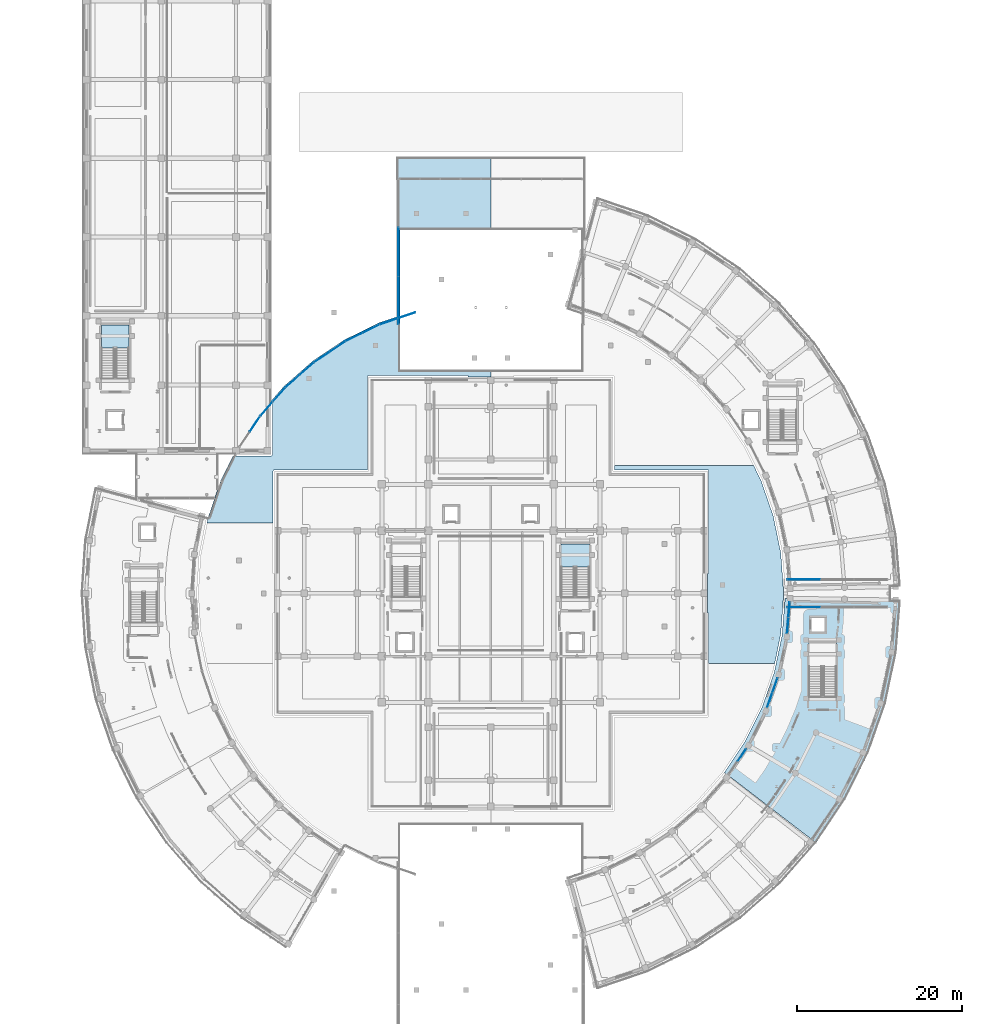
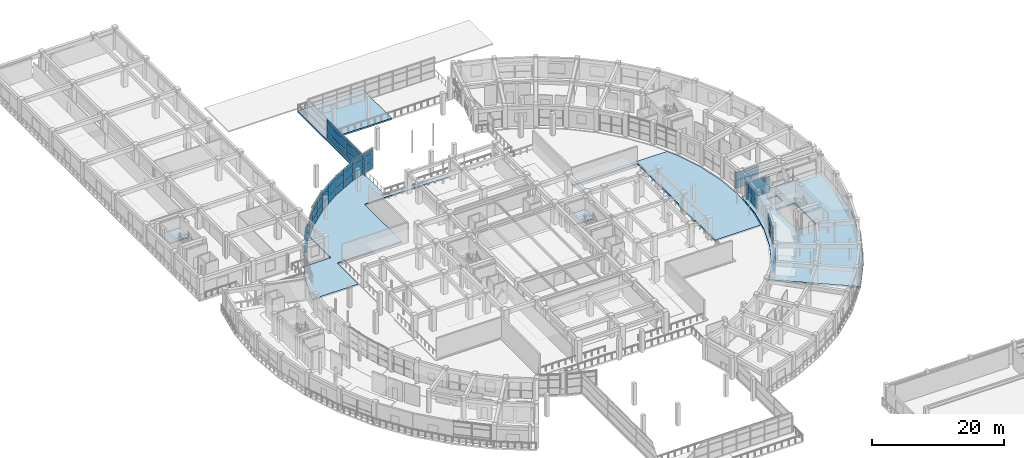
# One storey, part 50 of 87: 50 plates, 5 slabs, 14 elements without a shape of their own.
"""IFC4 building model written with IfcOpenShell, lengths in metres."""

from ifc_helpers import new_model, si_unit, direction, frame, origin, origin_2d, place, context, subcontext, project, spatial, polyline, rectangle, outline, extrude, material, layer, layer_set, type_object, element, aggregate, save


model = new_model("IFC4")

# Units and contexts
model_context = context("Model", 3, precision=1e-05, world=origin(), true_north=direction((0.0, 1.0)))
body_context = subcontext(model_context, "Body", "Model", "MODEL_VIEW")
ifc_project = project(units=[si_unit("LENGTHUNIT", "METRE"), si_unit("AREAUNIT", "SQUARE_METRE"), si_unit("VOLUMEUNIT", "CUBIC_METRE"), si_unit("PLANEANGLEUNIT", "RADIAN"), si_unit("MASSUNIT", "GRAM", prefix="KILO")], contexts=[model_context])

# Site, building, storey
site_placement = place(None, origin())
site = spatial("IfcSite", under=ifc_project, at=site_placement, CompositionType="ELEMENT")
building_placement = place(site_placement, origin())
building = spatial("IfcBuilding", under=site, at=building_placement, Name="Saryqyr Civic Hall", CompositionType="ELEMENT")
storey_placement = place(building_placement, frame((0.0, 0.0, 5.10009765625)))
storey = spatial("IfcBuildingStorey", under=building, at=storey_placement, Name="L01", CompositionType="ELEMENT", Elevation=5.10009765625)

# Curtain wall, plates
ifc_material_1 = material(Name="Anodised aluminium and triple low-E glass", Category="aluminium")
curtain_wall_type_1 = type_object("IfcCurtainWallType", Name="ENV-CW-STD-18", PredefinedType="NOTDEFINED", material=ifc_material_1)
curtain_wall_1_placement = place(storey_placement, origin())
curtain_wall_1 = element("IfcCurtainWall", 1, at=curtain_wall_1_placement, inside=storey, type_object=curtain_wall_type_1, Name="Curtain wall V5-CWI-L01-05", PredefinedType="NOTDEFINED")
ifc_material_2 = material(Name="Triple low-E insulated glazing", Category="glass")
ifc_layer_1 = layer(ifc_material_2, 0.053955078125, Name="Triple low-E insulated glazing")
ifc_layer_set_1 = layer_set([ifc_layer_1], Name="Triple low-E insulated glazing")
plate_type = type_object("IfcPlateType", Name="ENV-CW-PNL-38", PredefinedType="CURTAIN_PANEL", material=ifc_layer_set_1)
plate_1_placement = place(storey_placement, frame((87.368896484375, 64.415771484375, 0.059814453125), z_axis=(0.0, 0.0, 1.0), x_axis=(0.563119759928, 0.826375299715, 0.0)))
plate_1 = element("IfcPlate", 2, at=plate_1_placement, type_object=plate_type, Name="CW-18 panel 2.1", PredefinedType="CURTAIN_PANEL", context=body_context, shape_type="SweptSolid", body=[
    extrude(rectangle(XDim=1.775634765625, YDim=0.053955078125, at=origin_2d()), origin(), (0.0, 0.0, 1.0), 1.48193359375),
])
plate_2_placement = place(storey_placement, frame((87.368896484375, 64.415771484375, 1.60205078125), z_axis=(0.0, 0.0, 1.0), x_axis=(0.563119759928, 0.826375299715, 0.0)))
plate_2 = element("IfcPlate", 3, at=plate_2_placement, type_object=plate_type, Name="CW-18 panel 2.2", PredefinedType="CURTAIN_PANEL", context=body_context, shape_type="SweptSolid", body=[
    extrude(rectangle(XDim=1.775634765625, YDim=0.053955078125, at=origin_2d()), origin(), (0.0, 0.0, 1.0), 1.48291015625),
])
aggregate(curtain_wall_1, [plate_1, plate_2])

curtain_wall_type_2 = type_object("IfcCurtainWallType", Name="ENV-CW-STD-20", PredefinedType="NOTDEFINED", material=ifc_material_1)
curtain_wall_2_placement = place(storey_placement, origin())
curtain_wall_2 = element("IfcCurtainWall", 4, at=curtain_wall_2_placement, inside=storey, type_object=curtain_wall_type_2, Name="Curtain wall V5-CWI-L01-07", PredefinedType="NOTDEFINED")
plate_3_placement = place(storey_placement, frame((90.74462890625, 71.07080078125, 0.059814453125), z_axis=(0.0, 0.0, 1.0), x_axis=(0.333203416298, 0.942854964121, 0.0)))
plate_3 = element("IfcPlate", 5, at=plate_3_placement, type_object=plate_type, Name="CW-20 panel 1.1", PredefinedType="CURTAIN_PANEL", context=body_context, shape_type="SweptSolid", body=[
    extrude(rectangle(XDim=1.833984375, YDim=0.053955078125, at=origin_2d()), origin(), (0.0, 0.0, 1.0), 1.48193359375),
])
plate_4_placement = place(storey_placement, frame((90.74462890625, 71.07080078125, 1.60205078125), z_axis=(0.0, 0.0, 1.0), x_axis=(0.333203416298, 0.942854964121, 0.0)))
plate_4 = element("IfcPlate", 6, at=plate_4_placement, type_object=plate_type, Name="CW-20 panel 1.2", PredefinedType="CURTAIN_PANEL", context=body_context, shape_type="SweptSolid", body=[
    extrude(rectangle(XDim=1.833984375, YDim=0.053955078125, at=origin_2d()), origin(), (0.0, 0.0, 1.0), 1.48291015625),
])
plate_5_placement = place(storey_placement, frame((91.375732421875, 72.856689453125, 0.059814453125), z_axis=(0.0, 0.0, 1.0), x_axis=(0.333203416298, 0.942854964121, 0.0)))
plate_5 = element("IfcPlate", 7, at=plate_5_placement, type_object=plate_type, Name="CW-20 panel 2.1", PredefinedType="CURTAIN_PANEL", context=body_context, shape_type="SweptSolid", body=[
    extrude(rectangle(XDim=1.833984375, YDim=0.053955078125, at=origin_2d()), origin(), (0.0, 0.0, 1.0), 1.48193359375),
])
plate_6_placement = place(storey_placement, frame((91.375732421875, 72.856689453125, 1.60205078125), z_axis=(0.0, 0.0, 1.0), x_axis=(0.333203416298, 0.942854964121, 0.0)))
plate_6 = element("IfcPlate", 8, at=plate_6_placement, type_object=plate_type, Name="CW-20 panel 2.2", PredefinedType="CURTAIN_PANEL", context=body_context, shape_type="SweptSolid", body=[
    extrude(rectangle(XDim=1.833984375, YDim=0.053955078125, at=origin_2d()), origin(), (0.0, 0.0, 1.0), 1.48291015625),
])
aggregate(curtain_wall_2, [plate_3, plate_4, plate_5, plate_6])

curtain_wall_type_3 = type_object("IfcCurtainWallType", Name="ENV-CW-STD-17", PredefinedType="NOTDEFINED", material=ifc_material_1)
curtain_wall_3_placement = place(storey_placement, origin())
curtain_wall_3 = element("IfcCurtainWall", 9, at=curtain_wall_3_placement, inside=storey, type_object=curtain_wall_type_3, Name="Curtain wall V5-CWI-L01-09", PredefinedType="NOTDEFINED")
plate_7_placement = place(storey_placement, frame((92.927734375, 80.11474609375, 0.059814453125), z_axis=(0.0, 0.0, 1.0), x_axis=(0.081125567196, 0.996703889, 0.0)))
plate_7 = element("IfcPlate", 10, at=plate_7_placement, type_object=plate_type, Name="CW-17 panel 1.1", PredefinedType="CURTAIN_PANEL", context=body_context, shape_type="SweptSolid", body=[
    extrude(rectangle(XDim=1.8564453125, YDim=0.053955078125, at=origin_2d()), origin(), (0.0, 0.0, 1.0), 1.48193359375),
])
plate_8_placement = place(storey_placement, frame((92.927734375, 80.11474609375, 1.60205078125), z_axis=(0.0, 0.0, 1.0), x_axis=(0.081125567196, 0.996703889, 0.0)))
plate_8 = element("IfcPlate", 11, at=plate_8_placement, type_object=plate_type, Name="CW-17 panel 1.2", PredefinedType="CURTAIN_PANEL", context=body_context, shape_type="SweptSolid", body=[
    extrude(rectangle(XDim=1.8564453125, YDim=0.053955078125, at=origin_2d()), origin(), (0.0, 0.0, 1.0), 1.48291015625),
])
plate_9_placement = place(storey_placement, frame((93.083251953125, 82.02490234375, 0.059814453125), z_axis=(0.0, 0.0, 1.0), x_axis=(0.081125567196, 0.996703889, 0.0)))
plate_9 = element("IfcPlate", 12, at=plate_9_placement, type_object=plate_type, Name="CW-17 panel 2.1", PredefinedType="CURTAIN_PANEL", context=body_context, shape_type="SweptSolid", body=[
    extrude(rectangle(XDim=1.8564453125, YDim=0.053955078125, at=origin_2d()), origin(), (0.0, 0.0, 1.0), 1.48193359375),
])
plate_10_placement = place(storey_placement, frame((93.083251953125, 82.02490234375, 1.60205078125), z_axis=(0.0, 0.0, 1.0), x_axis=(0.081125567196, 0.996703889, 0.0)))
plate_10 = element("IfcPlate", 13, at=plate_10_placement, type_object=plate_type, Name="CW-17 panel 2.2", PredefinedType="CURTAIN_PANEL", context=body_context, shape_type="SweptSolid", body=[
    extrude(rectangle(XDim=1.8564453125, YDim=0.053955078125, at=origin_2d()), origin(), (0.0, 0.0, 1.0), 1.48291015625),
])
aggregate(curtain_wall_3, [plate_7, plate_8, plate_9, plate_10])

curtain_wall_type_4 = type_object("IfcCurtainWallType", Name="ENV-CW-STD-72", PredefinedType="NOTDEFINED", material=ifc_material_1)
curtain_wall_4_placement = place(storey_placement, origin())
curtain_wall_4 = element("IfcCurtainWall", 14, at=curtain_wall_4_placement, inside=storey, type_object=curtain_wall_type_4, Name="Curtain wall V2-VESTFLK-NW-L01", PredefinedType="NOTDEFINED")
plate_11_placement = place(storey_placement, frame((45.800048828125, 119.456787109375, 0.06005859375), z_axis=(0.0, 0.0, 1.0), x_axis=(0.0, 1.0, 0.0)))
plate_11 = element("IfcPlate", 15, at=plate_11_placement, type_object=plate_type, Name="CW-72 panel 1.1", PredefinedType="CURTAIN_PANEL", context=body_context, shape_type="SweptSolid", body=[
    extrude(rectangle(XDim=5.793212890625, YDim=0.053955078125, at=origin_2d()), origin(), (0.0, 0.0, 1.0), 1.241943359375),
])
plate_12_placement = place(storey_placement, frame((45.800048828125, 119.456787109375, 1.362060546875), z_axis=(0.0, 0.0, 1.0), x_axis=(0.0, 1.0, 0.0)))
plate_12 = element("IfcPlate", 16, at=plate_12_placement, type_object=plate_type, Name="CW-72 panel 1.2", PredefinedType="CURTAIN_PANEL", context=body_context, shape_type="SweptSolid", body=[
    extrude(rectangle(XDim=5.793212890625, YDim=0.053955078125, at=origin_2d()), origin(), (0.0, 0.0, 1.0), 1.419921875),
])
plate_13_placement = place(storey_placement, frame((45.800048828125, 119.456787109375, 2.841796875), z_axis=(0.0, 0.0, 1.0), x_axis=(0.0, 1.0, 0.0)))
plate_13 = element("IfcPlate", 17, at=plate_13_placement, type_object=plate_type, Name="CW-72 panel 1.3", PredefinedType="CURTAIN_PANEL", context=body_context, shape_type="SweptSolid", body=[
    extrude(rectangle(XDim=5.793212890625, YDim=0.053955078125, at=origin_2d()), origin(), (0.0, 0.0, 1.0), 0.798095703125),
])
plate_14_placement = place(storey_placement, frame((45.800048828125, 125.324951171875, 0.06005859375), z_axis=(0.0, 0.0, 1.0), x_axis=(0.0, 1.0, 0.0)))
plate_14 = element("IfcPlate", 18, at=plate_14_placement, type_object=plate_type, Name="CW-72 panel 2.1", PredefinedType="CURTAIN_PANEL", context=body_context, shape_type="SweptSolid", body=[
    extrude(rectangle(XDim=5.8232421875, YDim=0.053955078125, at=origin_2d()), origin(), (0.0, 0.0, 1.0), 1.241943359375),
])
plate_15_placement = place(storey_placement, frame((45.800048828125, 125.324951171875, 1.362060546875), z_axis=(0.0, 0.0, 1.0), x_axis=(0.0, 1.0, 0.0)))
plate_15 = element("IfcPlate", 19, at=plate_15_placement, type_object=plate_type, Name="CW-72 panel 2.2", PredefinedType="CURTAIN_PANEL", context=body_context, shape_type="SweptSolid", body=[
    extrude(rectangle(XDim=5.8232421875, YDim=0.053955078125, at=origin_2d()), origin(), (0.0, 0.0, 1.0), 1.419921875),
])
plate_16_placement = place(storey_placement, frame((45.800048828125, 125.324951171875, 2.841796875), z_axis=(0.0, 0.0, 1.0), x_axis=(0.0, 1.0, 0.0)))
plate_16 = element("IfcPlate", 20, at=plate_16_placement, type_object=plate_type, Name="CW-72 panel 2.3", PredefinedType="CURTAIN_PANEL", context=body_context, shape_type="SweptSolid", body=[
    extrude(rectangle(XDim=5.8232421875, YDim=0.053955078125, at=origin_2d()), origin(), (0.0, 0.0, 1.0), 0.798095703125),
])
aggregate(curtain_wall_4, [plate_11, plate_12, plate_13, plate_14, plate_15, plate_16])

curtain_wall_type_5 = type_object("IfcCurtainWallType", Name="ENV-CW-STD-74", PredefinedType="NOTDEFINED", material=ifc_material_1)
curtain_wall_5_placement = place(storey_placement, origin())
curtain_wall_5 = element("IfcCurtainWall", 21, at=curtain_wall_5_placement, inside=storey, type_object=curtain_wall_type_5, Name="Curtain wall V2-PERIM-CW-L01-14", PredefinedType="NOTDEFINED")
plate_17_placement = place(storey_placement, frame((44.626708984375, 116.9140625, 0.06005859375), z_axis=(0.0, 0.0, 1.0), x_axis=(0.946928094828, 0.321445459178, 0.0)))
plate_17 = element("IfcPlate", 22, at=plate_17_placement, type_object=plate_type, Name="CW-74 panel 1.1", PredefinedType="CURTAIN_PANEL", context=body_context, shape_type="SweptSolid", body=[
    extrude(rectangle(XDim=2.213623046875, YDim=0.053955078125, at=origin_2d()), origin(), (0.0, 0.0, 1.0), 1.241943359375),
])
plate_18_placement = place(storey_placement, frame((44.626708984375, 116.9140625, 1.362060546875), z_axis=(0.0, 0.0, 1.0), x_axis=(0.946928094828, 0.321445459178, 0.0)))
plate_18 = element("IfcPlate", 23, at=plate_18_placement, type_object=plate_type, Name="CW-74 panel 1.2", PredefinedType="CURTAIN_PANEL", context=body_context, shape_type="SweptSolid", body=[
    extrude(rectangle(XDim=2.213623046875, YDim=0.053955078125, at=origin_2d()), origin(), (0.0, 0.0, 1.0), 1.419921875),
])
plate_19_placement = place(storey_placement, frame((44.626708984375, 116.9140625, 2.841796875), z_axis=(0.0, 0.0, 1.0), x_axis=(0.946928094828, 0.321445459178, 0.0)))
plate_19 = element("IfcPlate", 24, at=plate_19_placement, type_object=plate_type, Name="CW-74 panel 1.3", PredefinedType="CURTAIN_PANEL", context=body_context, shape_type="SweptSolid", body=[
    extrude(rectangle(XDim=2.213623046875, YDim=0.053955078125, at=origin_2d()), origin(), (0.0, 0.0, 1.0), 0.798095703125),
])
plate_20_placement = place(storey_placement, frame((46.779541015625, 117.644775390625, 0.06005859375), z_axis=(0.0, 0.0, 1.0), x_axis=(0.946928094828, 0.321445459178, 0.0)))
plate_20 = element("IfcPlate", 25, at=plate_20_placement, type_object=plate_type, Name="CW-74 panel 2.1", PredefinedType="CURTAIN_PANEL", context=body_context, shape_type="SweptSolid", body=[
    extrude(rectangle(XDim=2.213623046875, YDim=0.053955078125, at=origin_2d()), origin(), (0.0, 0.0, 1.0), 1.241943359375),
])
plate_21_placement = place(storey_placement, frame((46.779541015625, 117.644775390625, 1.362060546875), z_axis=(0.0, 0.0, 1.0), x_axis=(0.946928094828, 0.321445459178, 0.0)))
plate_21 = element("IfcPlate", 26, at=plate_21_placement, type_object=plate_type, Name="CW-74 panel 2.2", PredefinedType="CURTAIN_PANEL", context=body_context, shape_type="SweptSolid", body=[
    extrude(rectangle(XDim=2.213623046875, YDim=0.053955078125, at=origin_2d()), origin(), (0.0, 0.0, 1.0), 1.419921875),
])
plate_22_placement = place(storey_placement, frame((46.779541015625, 117.644775390625, 2.841796875), z_axis=(0.0, 0.0, 1.0), x_axis=(0.946928094828, 0.321445459178, 0.0)))
plate_22 = element("IfcPlate", 27, at=plate_22_placement, type_object=plate_type, Name="CW-74 panel 2.3", PredefinedType="CURTAIN_PANEL", context=body_context, shape_type="SweptSolid", body=[
    extrude(rectangle(XDim=2.213623046875, YDim=0.053955078125, at=origin_2d()), origin(), (0.0, 0.0, 1.0), 0.798095703125),
])
aggregate(curtain_wall_5, [plate_17, plate_18, plate_19, plate_20, plate_21, plate_22])

curtain_wall_6_placement = place(storey_placement, origin())
curtain_wall_6 = element("IfcCurtainWall", 28, at=curtain_wall_6_placement, inside=storey, type_object=curtain_wall_type_5, Name="Curtain wall V2-PERIM-CW-L01-15", PredefinedType="NOTDEFINED")
plate_23_placement = place(storey_placement, frame((40.4365234375, 115.017333984375, 0.06005859375), z_axis=(0.0, 0.0, 1.0), x_axis=(0.896875116746, 0.442283873729, 0.0)))
plate_23 = element("IfcPlate", 29, at=plate_23_placement, type_object=plate_type, Name="CW-74 panel 1.1", PredefinedType="CURTAIN_PANEL", context=body_context, shape_type="SweptSolid", body=[
    extrude(rectangle(XDim=2.21337890625, YDim=0.053955078125, at=origin_2d()), origin(), (0.0, 0.0, 1.0), 1.241943359375),
])
plate_24_placement = place(storey_placement, frame((40.4365234375, 115.017333984375, 1.362060546875), z_axis=(0.0, 0.0, 1.0), x_axis=(0.896875116746, 0.442283873729, 0.0)))
plate_24 = element("IfcPlate", 30, at=plate_24_placement, type_object=plate_type, Name="CW-74 panel 1.2", PredefinedType="CURTAIN_PANEL", context=body_context, shape_type="SweptSolid", body=[
    extrude(rectangle(XDim=2.21337890625, YDim=0.053955078125, at=origin_2d()), origin(), (0.0, 0.0, 1.0), 1.419921875),
])
plate_25_placement = place(storey_placement, frame((40.4365234375, 115.017333984375, 2.841796875), z_axis=(0.0, 0.0, 1.0), x_axis=(0.896875116746, 0.442283873729, 0.0)))
plate_25 = element("IfcPlate", 31, at=plate_25_placement, type_object=plate_type, Name="CW-74 panel 1.3", PredefinedType="CURTAIN_PANEL", context=body_context, shape_type="SweptSolid", body=[
    extrude(rectangle(XDim=2.21337890625, YDim=0.053955078125, at=origin_2d()), origin(), (0.0, 0.0, 1.0), 0.798095703125),
])
plate_26_placement = place(storey_placement, frame((42.4755859375, 116.02294921875, 0.06005859375), z_axis=(0.0, 0.0, 1.0), x_axis=(0.896875116746, 0.442283873729, 0.0)))
plate_26 = element("IfcPlate", 32, at=plate_26_placement, type_object=plate_type, Name="CW-74 panel 2.1", PredefinedType="CURTAIN_PANEL", context=body_context, shape_type="SweptSolid", body=[
    extrude(rectangle(XDim=2.21337890625, YDim=0.053955078125, at=origin_2d()), origin(), (0.0, 0.0, 1.0), 1.241943359375),
])
plate_27_placement = place(storey_placement, frame((42.4755859375, 116.02294921875, 1.362060546875), z_axis=(0.0, 0.0, 1.0), x_axis=(0.896875116746, 0.442283873729, 0.0)))
plate_27 = element("IfcPlate", 33, at=plate_27_placement, type_object=plate_type, Name="CW-74 panel 2.2", PredefinedType="CURTAIN_PANEL", context=body_context, shape_type="SweptSolid", body=[
    extrude(rectangle(XDim=2.21337890625, YDim=0.053955078125, at=origin_2d()), origin(), (0.0, 0.0, 1.0), 1.419921875),
])
plate_28_placement = place(storey_placement, frame((42.4755859375, 116.02294921875, 2.841796875), z_axis=(0.0, 0.0, 1.0), x_axis=(0.896875116746, 0.442283873729, 0.0)))
plate_28 = element("IfcPlate", 34, at=plate_28_placement, type_object=plate_type, Name="CW-74 panel 2.3", PredefinedType="CURTAIN_PANEL", context=body_context, shape_type="SweptSolid", body=[
    extrude(rectangle(XDim=2.21337890625, YDim=0.053955078125, at=origin_2d()), origin(), (0.0, 0.0, 1.0), 0.798095703125),
])
aggregate(curtain_wall_6, [plate_23, plate_24, plate_25, plate_26, plate_27, plate_28])

curtain_wall_7_placement = place(storey_placement, origin())
curtain_wall_7 = element("IfcCurtainWall", 35, at=curtain_wall_7_placement, inside=storey, type_object=curtain_wall_type_5, Name="Curtain wall V2-PERIM-CW-L01-16", PredefinedType="NOTDEFINED")
plate_29_placement = place(storey_placement, frame((36.529541015625, 112.590087890625, 0.06005859375), z_axis=(0.0, 0.0, 1.0), x_axis=(0.831472128078, 0.555566467877, 0.0)))
plate_29 = element("IfcPlate", 36, at=plate_29_placement, type_object=plate_type, Name="CW-74 panel 1.1", PredefinedType="CURTAIN_PANEL", context=body_context, shape_type="SweptSolid", body=[
    extrude(rectangle(XDim=2.213623046875, YDim=0.053955078125, at=origin_2d()), origin(), (0.0, 0.0, 1.0), 1.241943359375),
])
plate_30_placement = place(storey_placement, frame((36.529541015625, 112.590087890625, 1.362060546875), z_axis=(0.0, 0.0, 1.0), x_axis=(0.831472128078, 0.555566467877, 0.0)))
plate_30 = element("IfcPlate", 37, at=plate_30_placement, type_object=plate_type, Name="CW-74 panel 1.2", PredefinedType="CURTAIN_PANEL", context=body_context, shape_type="SweptSolid", body=[
    extrude(rectangle(XDim=2.213623046875, YDim=0.053955078125, at=origin_2d()), origin(), (0.0, 0.0, 1.0), 1.419921875),
])
plate_31_placement = place(storey_placement, frame((36.529541015625, 112.590087890625, 2.841796875), z_axis=(0.0, 0.0, 1.0), x_axis=(0.831472128078, 0.555566467877, 0.0)))
plate_31 = element("IfcPlate", 38, at=plate_31_placement, type_object=plate_type, Name="CW-74 panel 1.3", PredefinedType="CURTAIN_PANEL", context=body_context, shape_type="SweptSolid", body=[
    extrude(rectangle(XDim=2.213623046875, YDim=0.053955078125, at=origin_2d()), origin(), (0.0, 0.0, 1.0), 0.798095703125),
])
plate_32_placement = place(storey_placement, frame((38.419921875, 113.853271484375, 0.06005859375), z_axis=(0.0, 0.0, 1.0), x_axis=(0.831472128078, 0.555566467877, 0.0)))
plate_32 = element("IfcPlate", 39, at=plate_32_placement, type_object=plate_type, Name="CW-74 panel 2.1", PredefinedType="CURTAIN_PANEL", context=body_context, shape_type="SweptSolid", body=[
    extrude(rectangle(XDim=2.213623046875, YDim=0.053955078125, at=origin_2d()), origin(), (0.0, 0.0, 1.0), 1.241943359375),
])
plate_33_placement = place(storey_placement, frame((38.419921875, 113.853271484375, 1.362060546875), z_axis=(0.0, 0.0, 1.0), x_axis=(0.831472128078, 0.555566467877, 0.0)))
plate_33 = element("IfcPlate", 40, at=plate_33_placement, type_object=plate_type, Name="CW-74 panel 2.2", PredefinedType="CURTAIN_PANEL", context=body_context, shape_type="SweptSolid", body=[
    extrude(rectangle(XDim=2.213623046875, YDim=0.053955078125, at=origin_2d()), origin(), (0.0, 0.0, 1.0), 1.419921875),
])
plate_34_placement = place(storey_placement, frame((38.419921875, 113.853271484375, 2.841796875), z_axis=(0.0, 0.0, 1.0), x_axis=(0.831472128078, 0.555566467877, 0.0)))
plate_34 = element("IfcPlate", 41, at=plate_34_placement, type_object=plate_type, Name="CW-74 panel 2.3", PredefinedType="CURTAIN_PANEL", context=body_context, shape_type="SweptSolid", body=[
    extrude(rectangle(XDim=2.213623046875, YDim=0.053955078125, at=origin_2d()), origin(), (0.0, 0.0, 1.0), 0.798095703125),
])
aggregate(curtain_wall_7, [plate_29, plate_30, plate_31, plate_32, plate_33, plate_34])

curtain_wall_8_placement = place(storey_placement, origin())
curtain_wall_8 = element("IfcCurtainWall", 42, at=curtain_wall_8_placement, inside=storey, type_object=curtain_wall_type_5, Name="Curtain wall V2-PERIM-CW-L01-17", PredefinedType="NOTDEFINED")
plate_35_placement = place(storey_placement, frame((32.972900390625, 109.673583984375, 0.06005859375), z_axis=(0.0, 0.0, 1.0), x_axis=(0.751838018573, 0.659347854951, 0.0)))
plate_35 = element("IfcPlate", 43, at=plate_35_placement, type_object=plate_type, Name="CW-74 panel 1.1", PredefinedType="CURTAIN_PANEL", context=body_context, shape_type="SweptSolid", body=[
    extrude(rectangle(XDim=2.21337890625, YDim=0.053955078125, at=origin_2d()), origin(), (0.0, 0.0, 1.0), 1.241943359375),
])
plate_36_placement = place(storey_placement, frame((32.972900390625, 109.673583984375, 1.362060546875), z_axis=(0.0, 0.0, 1.0), x_axis=(0.751838018573, 0.659347854951, 0.0)))
plate_36 = element("IfcPlate", 44, at=plate_36_placement, type_object=plate_type, Name="CW-74 panel 1.2", PredefinedType="CURTAIN_PANEL", context=body_context, shape_type="SweptSolid", body=[
    extrude(rectangle(XDim=2.21337890625, YDim=0.053955078125, at=origin_2d()), origin(), (0.0, 0.0, 1.0), 1.419921875),
])
plate_37_placement = place(storey_placement, frame((32.972900390625, 109.673583984375, 2.841796875), z_axis=(0.0, 0.0, 1.0), x_axis=(0.751838018573, 0.659347854951, 0.0)))
plate_37 = element("IfcPlate", 45, at=plate_37_placement, type_object=plate_type, Name="CW-74 panel 1.3", PredefinedType="CURTAIN_PANEL", context=body_context, shape_type="SweptSolid", body=[
    extrude(rectangle(XDim=2.21337890625, YDim=0.053955078125, at=origin_2d()), origin(), (0.0, 0.0, 1.0), 0.798095703125),
])
plate_38_placement = place(storey_placement, frame((34.68212890625, 111.172607421875, 0.06005859375), z_axis=(0.0, 0.0, 1.0), x_axis=(0.751838018573, 0.659347854951, 0.0)))
plate_38 = element("IfcPlate", 46, at=plate_38_placement, type_object=plate_type, Name="CW-74 panel 2.1", PredefinedType="CURTAIN_PANEL", context=body_context, shape_type="SweptSolid", body=[
    extrude(rectangle(XDim=2.21337890625, YDim=0.053955078125, at=origin_2d()), origin(), (0.0, 0.0, 1.0), 1.241943359375),
])
plate_39_placement = place(storey_placement, frame((34.68212890625, 111.172607421875, 1.362060546875), z_axis=(0.0, 0.0, 1.0), x_axis=(0.751838018573, 0.659347854951, 0.0)))
plate_39 = element("IfcPlate", 47, at=plate_39_placement, type_object=plate_type, Name="CW-74 panel 2.2", PredefinedType="CURTAIN_PANEL", context=body_context, shape_type="SweptSolid", body=[
    extrude(rectangle(XDim=2.21337890625, YDim=0.053955078125, at=origin_2d()), origin(), (0.0, 0.0, 1.0), 1.419921875),
])
plate_40_placement = place(storey_placement, frame((34.68212890625, 111.172607421875, 2.841796875), z_axis=(0.0, 0.0, 1.0), x_axis=(0.751838018573, 0.659347854951, 0.0)))
plate_40 = element("IfcPlate", 48, at=plate_40_placement, type_object=plate_type, Name="CW-74 panel 2.3", PredefinedType="CURTAIN_PANEL", context=body_context, shape_type="SweptSolid", body=[
    extrude(rectangle(XDim=2.21337890625, YDim=0.053955078125, at=origin_2d()), origin(), (0.0, 0.0, 1.0), 0.798095703125),
])
aggregate(curtain_wall_8, [plate_35, plate_36, plate_37, plate_38, plate_39, plate_40])

curtain_wall_type_6 = type_object("IfcCurtainWallType", Name="ENV-CW-STD-75", PredefinedType="NOTDEFINED", material=ifc_material_1)
curtain_wall_9_placement = place(storey_placement, origin())
curtain_wall_9 = element("IfcCurtainWall", 49, at=curtain_wall_9_placement, inside=storey, type_object=curtain_wall_type_6, Name="Curtain wall V2-PERIM-CW-L01-18", PredefinedType="NOTDEFINED")
plate_41_placement = place(storey_placement, frame((29.827392578125, 106.31787109375, 0.059814453125), z_axis=(0.0, 0.0, 1.0), x_axis=(0.659347854951, 0.751838018573, 0.0)))
plate_41 = element("IfcPlate", 50, at=plate_41_placement, type_object=plate_type, Name="CW-75 panel 1.1", PredefinedType="CURTAIN_PANEL", context=body_context, shape_type="SweptSolid", body=[
    extrude(rectangle(XDim=2.21337890625, YDim=0.053955078125, at=origin_2d()), origin(), (0.0, 0.0, 1.0), 1.48193359375),
])
plate_42_placement = place(storey_placement, frame((29.827392578125, 106.31787109375, 1.60205078125), z_axis=(0.0, 0.0, 1.0), x_axis=(0.659347854951, 0.751838018573, 0.0)))
plate_42 = element("IfcPlate", 51, at=plate_42_placement, type_object=plate_type, Name="CW-75 panel 1.2", PredefinedType="CURTAIN_PANEL", context=body_context, shape_type="SweptSolid", body=[
    extrude(rectangle(XDim=2.21337890625, YDim=0.053955078125, at=origin_2d()), origin(), (0.0, 0.0, 1.0), 1.48291015625),
])
plate_43_placement = place(storey_placement, frame((31.326416015625, 108.027099609375, 0.059814453125), z_axis=(0.0, 0.0, 1.0), x_axis=(0.659347854951, 0.751838018573, 0.0)))
plate_43 = element("IfcPlate", 52, at=plate_43_placement, type_object=plate_type, Name="CW-75 panel 2.1", PredefinedType="CURTAIN_PANEL", context=body_context, shape_type="SweptSolid", body=[
    extrude(rectangle(XDim=2.21337890625, YDim=0.053955078125, at=origin_2d()), origin(), (0.0, 0.0, 1.0), 1.48193359375),
])
plate_44_placement = place(storey_placement, frame((31.326416015625, 108.027099609375, 1.60205078125), z_axis=(0.0, 0.0, 1.0), x_axis=(0.659347854951, 0.751838018573, 0.0)))
plate_44 = element("IfcPlate", 53, at=plate_44_placement, type_object=plate_type, Name="CW-75 panel 2.2", PredefinedType="CURTAIN_PANEL", context=body_context, shape_type="SweptSolid", body=[
    extrude(rectangle(XDim=2.21337890625, YDim=0.053955078125, at=origin_2d()), origin(), (0.0, 0.0, 1.0), 1.48291015625),
])
aggregate(curtain_wall_9, [plate_41, plate_42, plate_43, plate_44])

curtain_wall_type_7 = type_object("IfcCurtainWallType", Name="ENV-CW-STD-76", PredefinedType="NOTDEFINED", material=ifc_material_1)
curtain_wall_10_placement = place(storey_placement, origin())
curtain_wall_10 = element("IfcCurtainWall", 54, at=curtain_wall_10_placement, inside=storey, type_object=curtain_wall_type_7, Name="Curtain wall V2-PERIM-CW-L01-19", PredefinedType="NOTDEFINED")
plate_45_placement = place(storey_placement, frame((28.42333984375, 104.490478515625, 0.059814453125), z_axis=(0.0, 0.0, 1.0), x_axis=(0.55555938193, 0.831476862666, 0.0)))
plate_45 = element("IfcPlate", 55, at=plate_45_placement, type_object=plate_type, Name="CW-76 panel 2.1", PredefinedType="CURTAIN_PANEL", context=body_context, shape_type="SweptSolid", body=[
    extrude(rectangle(XDim=2.165283203125, YDim=0.053955078125, at=origin_2d()), origin(), (0.0, 0.0, 1.0), 1.48193359375),
])
plate_46_placement = place(storey_placement, frame((28.42333984375, 104.490478515625, 1.60205078125), z_axis=(0.0, 0.0, 1.0), x_axis=(0.55555938193, 0.831476862666, 0.0)))
plate_46 = element("IfcPlate", 56, at=plate_46_placement, type_object=plate_type, Name="CW-76 panel 2.2", PredefinedType="CURTAIN_PANEL", context=body_context, shape_type="SweptSolid", body=[
    extrude(rectangle(XDim=2.165283203125, YDim=0.053955078125, at=origin_2d()), origin(), (0.0, 0.0, 1.0), 1.48291015625),
])
aggregate(curtain_wall_10, [plate_45, plate_46])

curtain_wall_type_8 = type_object("IfcCurtainWallType", Name="ENV-CW-STD-81", PredefinedType="NOTDEFINED", material=ifc_material_1)
curtain_wall_11_placement = place(storey_placement, origin())
curtain_wall_11 = element("IfcCurtainWall", 57, at=curtain_wall_11_placement, inside=storey, type_object=curtain_wall_type_8, Name="Curtain wall BR-E-CW1-L01", PredefinedType="NOTDEFINED")
plate_47_placement = place(storey_placement, frame((94.848388671875, 82.320068359375, 0.059814453125), z_axis=(0.0, 0.0, 1.0), x_axis=(-1.0, 0.0, 0.0)))
plate_47 = element("IfcPlate", 58, at=plate_47_placement, type_object=plate_type, Name="CW-81 panel 3.1", PredefinedType="CURTAIN_PANEL", context=body_context, shape_type="SweptSolid", body=[
    extrude(rectangle(XDim=3.9765625, YDim=0.053955078125, at=origin_2d()), origin(), (0.0, 0.0, 1.0), 1.4599609375),
])
plate_48_placement = place(storey_placement, frame((94.848388671875, 82.320068359375, 1.579833984375), z_axis=(0.0, 0.0, 1.0), x_axis=(-1.0, 0.0, 0.0)))
plate_48 = element("IfcPlate", 59, at=plate_48_placement, type_object=plate_type, Name="CW-81 panel 3.2", PredefinedType="CURTAIN_PANEL", context=body_context, shape_type="SweptSolid", body=[
    extrude(rectangle(XDim=3.9765625, YDim=0.053955078125, at=origin_2d()), origin(), (0.0, 0.0, 1.0), 1.4599609375),
])
aggregate(curtain_wall_11, [plate_47, plate_48])

curtain_wall_12_placement = place(storey_placement, origin())
curtain_wall_12 = element("IfcCurtainWall", 60, at=curtain_wall_12_placement, inside=storey, type_object=curtain_wall_type_8, Name="Curtain wall BR-E-CW2-L01", PredefinedType="NOTDEFINED")
plate_49_placement = place(storey_placement, frame((94.848388671875, 85.679931640625, 0.059814453125), z_axis=(0.0, 0.0, 1.0), x_axis=(1.0, 0.0, 0.0)))
plate_49 = element("IfcPlate", 61, at=plate_49_placement, type_object=plate_type, Name="CW-81 panel 1.1", PredefinedType="CURTAIN_PANEL", context=body_context, shape_type="SweptSolid", body=[
    extrude(rectangle(XDim=3.9765625, YDim=0.053955078125, at=origin_2d()), origin(), (0.0, 0.0, 1.0), 1.4599609375),
])
plate_50_placement = place(storey_placement, frame((94.848388671875, 85.679931640625, 1.579833984375), z_axis=(0.0, 0.0, 1.0), x_axis=(1.0, 0.0, 0.0)))
plate_50 = element("IfcPlate", 62, at=plate_50_placement, type_object=plate_type, Name="CW-81 panel 1.2", PredefinedType="CURTAIN_PANEL", context=body_context, shape_type="SweptSolid", body=[
    extrude(rectangle(XDim=3.9765625, YDim=0.053955078125, at=origin_2d()), origin(), (0.0, 0.0, 1.0), 1.4599609375),
])
aggregate(curtain_wall_12, [plate_49, plate_50])

# Slabs
ifc_material_3 = material(Name="Concrete C35/45", Category="concrete")
ifc_layer_2 = layer(ifc_material_3, 0.280029296875, Name="Concrete C35/45")
ifc_layer_set_2 = layer_set([ifc_layer_2], Name="Concrete C35/45")
slab_type_1 = type_object("IfcSlabType", Name="STR-SLB-FLR-280", PredefinedType="FLOOR", material=ifc_layer_set_2)
slab_1_placement = place(storey_placement, frame((0.0, 0.0, -0.280029296875)))
element("IfcSlab", 63, at=slab_1_placement, inside=storey, type_object=slab_type_1, Name="Slab SLB-V5B-L01", PredefinedType="FLOOR", context=body_context, shape_type="SweptSolid", body=[
    extrude(outline(polyline([(87.771240234375, 66.097900390625), (89.799072265625, 70.15869140625), (91.293701171875, 74.4443359375), (92.230712890625, 78.885498046875), (92.59521484375, 83.409912109375), (106.59326171875, 83.177490234375), (106.08544921875, 76.874267578125), (104.77978515625, 70.6865234375), (102.697509765625, 64.71533203125), (99.872314453125, 59.0576171875), (96.350341796875, 53.805419921875), (85.243408203125, 62.328125), (87.771240234375, 66.097900390625)]), holes=[polyline([(98.800048828125, 78.0), (95.47998046875, 78.0), (95.47998046875, 71.56005859375), (98.800048828125, 71.56005859375), (98.800048828125, 78.0)]), polyline([(97.449951171875, 79.300048828125), (97.449951171875, 81.10009765625), (95.75, 81.10009765625), (95.75, 79.300048828125), (97.449951171875, 79.300048828125)])]), origin(), (0.0, 0.0, 1.0), 0.280029296875),
])
slab_2_placement = place(storey_placement, frame((0.0, 0.0, -0.280029296875)))
element("IfcSlab", 64, at=slab_2_placement, inside=storey, type_object=slab_type_1, Name="Slab SLB-V2NW-L01", PredefinedType="FLOOR", context=body_context, shape_type="SweptSolid", body=[
    extrude(outline(polyline([(30.39990234375, 100.639892578125), (30.51318359375, 100.68701171875), (30.56005859375, 100.800048828125), (30.56005859375, 107.486083984375), (31.940185546875, 109.059814453125), (35.425537109375, 112.116455078125), (39.280029296875, 114.69189453125), (43.437744140625, 116.7421875), (45.964599609375, 117.60009765625), (45.60009765625, 117.60009765625), (45.60009765625, 136.800048828125), (57.0, 136.800048828125), (57.0, 128.0), (46.0, 128.0), (46.0, 111.0), (57.0, 111.0), (57.0, 110.199951171875), (54.199951171875, 110.199951171875), (54.199951171875, 110.360107421875), (42.12451171875, 110.341064453125), (42.058837890625, 110.275390625), (42.0400390625, 110.199951171875), (42.0400390625, 98.9599609375), (30.753662109375, 98.953125), (30.6669921875, 98.888916015625), (30.639892578125, 98.800048828125), (30.639892578125, 92.5), (22.634033203125, 92.5), (22.768310546875, 93.174560546875), (24.2578125, 97.562255859375), (25.775390625, 100.639892578125), (30.39990234375, 100.639892578125)])), origin(), (0.0, 0.0, 1.0), 0.280029296875),
])
slab_3_placement = place(storey_placement, frame((0.0, 0.0, -0.280029296875)))
element("IfcSlab", 65, at=slab_3_placement, inside=storey, type_object=slab_type_1, Name="Slab SLB-V2E-L01", PredefinedType="FLOOR", context=body_context, shape_type="SweptSolid", body=[
    extrude(outline(polyline([(89.66748046875, 97.714111328125), (91.16455078125, 93.372314453125), (92.08740234375, 88.873779296875), (92.43994140625, 84.0), (92.091064453125, 79.143798828125), (91.352783203125, 75.5), (83.360107421875, 75.5), (83.360107421875, 81.60009765625), (83.199951171875, 81.60009765625), (83.199951171875, 86.39990234375), (83.360107421875, 86.39990234375), (83.341064453125, 98.87548828125), (83.288818359375, 98.93310546875), (83.199951171875, 98.9599609375), (71.9599609375, 98.9599609375), (71.9599609375, 99.5), (88.78662109375, 99.5), (89.66748046875, 97.714111328125)])), origin(), (0.0, 0.0, 1.0), 0.280029296875),
])

# Stair, slab
stair_type_1 = type_object("IfcStairType", Name="INT-STR-ST-2", PredefinedType="HALF_TURN_STAIR", material=ifc_material_3)
stair_1_placement = place(storey_placement, origin())
stair_1 = element("IfcStair", 66, at=stair_1_placement, inside=storey, type_object=stair_type_1, Name="L01 Protected Exit Stair ST-2", PredefinedType="HALF_TURN_STAIR")
ifc_layer_3 = layer(ifc_material_3, 0.199951171875, Name="Concrete C35/45")
ifc_layer_set_3 = layer_set([ifc_layer_3], Name="Concrete C35/45")
slab_type_2 = type_object("IfcSlabType", Name="STR-SLB-LND-200", PredefinedType="LANDING", material=ifc_layer_set_3)
slab_4_placement = place(storey_placement, frame((0.0, 0.0, 1.824951171875)))
slab_4 = element("IfcSlab", 67, at=slab_4_placement, type_object=slab_type_2, Name="ST-2 landing 1", PredefinedType="LANDING", context=body_context, shape_type="SweptSolid", body=[
    extrude(outline(polyline([(68.89990234375, 87.199951171875), (68.89990234375, 90.0), (65.5, 90.0), (65.5, 87.199951171875), (68.89990234375, 87.199951171875)])), origin(), (0.0, 0.0, 1.0), 0.199951171875),
])
aggregate(stair_1, [slab_4])

stair_type_2 = type_object("IfcStairType", Name="INT-STR-ST-3", PredefinedType="HALF_TURN_STAIR", material=ifc_material_3)
stair_2_placement = place(storey_placement, origin())
stair_2 = element("IfcStair", 68, at=stair_2_placement, inside=storey, type_object=stair_type_2, Name="L01 Protected Exit Stair ST-3", PredefinedType="HALF_TURN_STAIR")
slab_5_placement = place(storey_placement, frame((0.0, 0.0, 1.824951171875)))
slab_5 = element("IfcSlab", 69, at=slab_5_placement, type_object=slab_type_2, Name="ST-3 landing 1", PredefinedType="LANDING", context=body_context, shape_type="SweptSolid", body=[
    extrude(outline(polyline([(13.199951171875, 113.679931640625), (13.199951171875, 116.5), (9.840087890625, 116.5), (9.840087890625, 113.679931640625), (13.199951171875, 113.679931640625)])), origin(), (0.0, 0.0, 1.0), 0.199951171875),
])
aggregate(stair_2, [slab_5])

save(model, "model.ifc")
